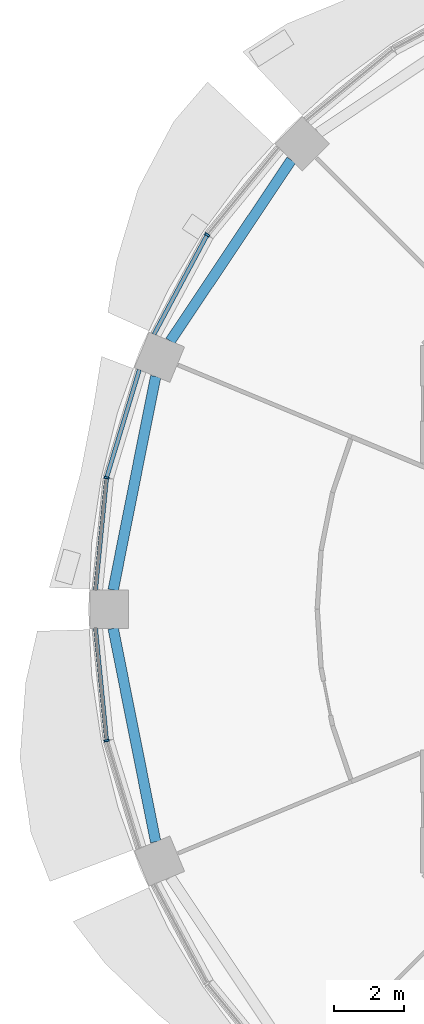
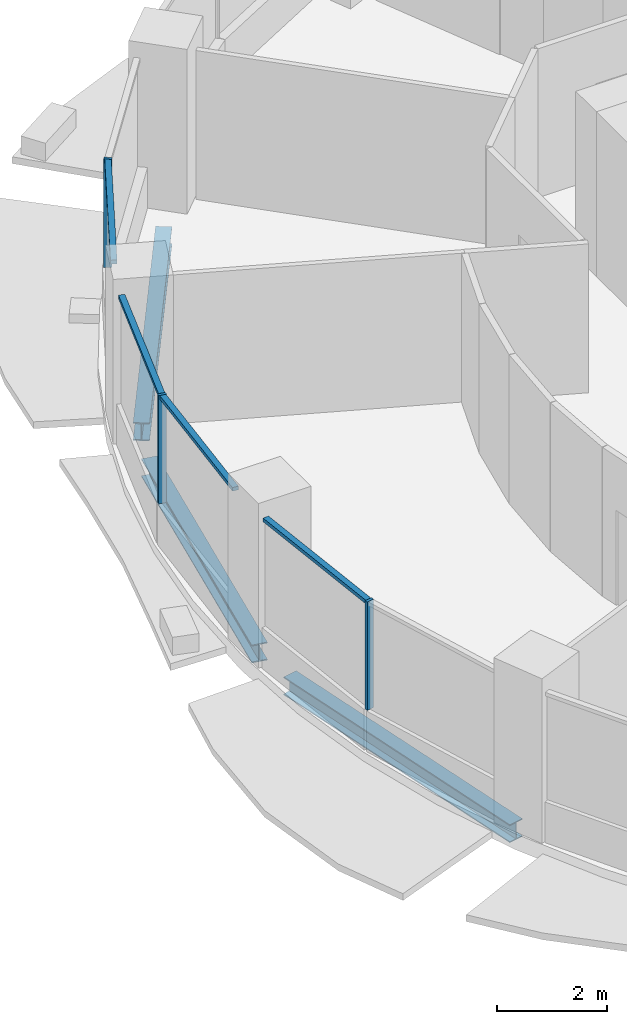
# One storey, part 4 of 15: 7 members, 3 beams, 3 elements without a shape of their own.
"""IFC4 building model written with IfcOpenShell, lengths in metres."""

from ifc_helpers import new_model, si_unit, direction, frame, origin, origin_2d, place, context, subcontext, project, spatial, rectangle, i_section, extrude, material, material_profile, profile_set, type_object, element, aggregate, save


model = new_model("IFC4")

# Units and contexts
model_context = context("Model", 3, precision=1e-05, world=origin(), true_north=direction((0.0, 1.0)))
body_context = subcontext(model_context, "Body", "Model", "MODEL_VIEW")
ifc_project = project(units=[si_unit("LENGTHUNIT", "METRE"), si_unit("AREAUNIT", "SQUARE_METRE"), si_unit("VOLUMEUNIT", "CUBIC_METRE"), si_unit("PLANEANGLEUNIT", "RADIAN"), si_unit("MASSUNIT", "GRAM", prefix="KILO")], contexts=[model_context])

# Site, building, storey
site_placement = place(None, origin())
site = spatial("IfcSite", under=ifc_project, at=site_placement, CompositionType="ELEMENT")
building_placement = place(site_placement, origin())
building = spatial("IfcBuilding", under=site, at=building_placement, Name="Polderwave Tower", CompositionType="ELEMENT")
storey_placement = place(building_placement, frame((0.0, 0.0, 80.050048828125)))
storey = spatial("IfcBuildingStorey", under=building, at=storey_placement, Name="L20", CompositionType="ELEMENT", Elevation=80.050048828125)

# Curtain wall, member
ifc_material_1 = material(Name="Aluminium 6063-T6 and glass", Category="aluminium")
curtain_wall_type = type_object("IfcCurtainWallType", Name="Growing floor ribbon glazing wall", PredefinedType="NOTDEFINED", material=ifc_material_1)
curtain_wall_1_placement = place(storey_placement, origin())
curtain_wall_1 = element("IfcCurtainWall", 1, at=curtain_wall_1_placement, inside=storey, type_object=curtain_wall_type, Name="CW2 L20 06", PredefinedType="NOTDEFINED")
ifc_material_2 = material(Name="Aluminium 6063-T6", Category="aluminium")
ifc_material_profile_1 = material_profile(ifc_material_2, rectangle(XDim=0.14990234375, YDim=0.06005859375, at=origin_2d()), Name="AL 60x150")
ifc_profile_set_1 = profile_set([ifc_material_profile_1], Name="Aluminium 6063-T6")
member_type_1 = type_object("IfcMemberType", Name="Growing floor ribbon glazing mullion 60x150", PredefinedType="MULLION", material=ifc_profile_set_1)
member_1_placement = place(storey_placement, frame((-16.0390625, 10.717041015625, 0.89990234375), z_axis=(0.0, 0.0, 1.0), x_axis=(0.831519061311, -0.555496220219, 0.0)))
member_1 = element("IfcMember", 2, at=member_1_placement, type_object=member_type_1, Name="CW2 mullion 1", PredefinedType="MULLION", context=body_context, shape_type="SweptSolid", body=[
    extrude(rectangle(XDim=0.14990234375, YDim=0.06005859375, at=origin_2d()), origin(), (0.0, 0.0, 1.0), 2.400146484375),
])

curtain_wall_2_placement = place(storey_placement, origin())
curtain_wall_2 = element("IfcCurtainWall", 3, at=curtain_wall_2_placement, inside=storey, type_object=curtain_wall_type, Name="CW2 L20 07", PredefinedType="NOTDEFINED")
member_2_placement = place(storey_placement, frame((-18.9189453125, 3.762939453125, 0.89990234375), z_axis=(0.0, 0.0, 1.0), x_axis=(0.980778810424, -0.19512284598, 0.0)))
member_2 = element("IfcMember", 4, at=member_2_placement, type_object=member_type_1, Name="CW2 mullion 1", PredefinedType="MULLION", context=body_context, shape_type="SweptSolid", body=[
    extrude(rectangle(XDim=0.14990234375, YDim=0.06005859375, at=origin_2d()), origin(), (0.0, 0.0, 1.0), 2.400146484375),
])

curtain_wall_3_placement = place(storey_placement, origin())
curtain_wall_3 = element("IfcCurtainWall", 5, at=curtain_wall_3_placement, inside=storey, type_object=curtain_wall_type, Name="CW2 L20 08", PredefinedType="NOTDEFINED")
member_3_placement = place(storey_placement, frame((-18.9189453125, -3.762939453125, 0.89990234375), z_axis=(0.0, 0.0, 1.0), x_axis=(0.980778810424, 0.19512284598, 0.0)))
member_3 = element("IfcMember", 6, at=member_3_placement, type_object=member_type_1, Name="CW2 mullion 1", PredefinedType="MULLION", context=body_context, shape_type="SweptSolid", body=[
    extrude(rectangle(XDim=0.14990234375, YDim=0.06005859375, at=origin_2d()), origin(), (0.0, 0.0, 1.0), 2.400146484375),
])

# Member
ifc_material_profile_2 = material_profile(ifc_material_2, rectangle(XDim=0.1201171875, YDim=0.080078125, at=origin_2d()), Name="AL 80x120")
ifc_profile_set_2 = profile_set([ifc_material_profile_2], Name="Aluminium 6063-T6")
member_type_2 = type_object("IfcMemberType", Name="Growing floor ribbon glazing transom 80x120", PredefinedType="USERDEFINED", material=ifc_profile_set_2)
member_4_placement = place(storey_placement, frame((-16.052978515625, 10.6904296875, 3.260009765625), z_axis=(-0.471376247819, -0.881932215645, 0.0), x_axis=(0.881932215645, -0.471376247819, 0.0)))
member_4 = element("IfcMember", 7, at=member_4_placement, type_object=member_type_2, Name="CW2 transom 2", ObjectType="TRANSOM", PredefinedType="USERDEFINED", context=body_context, shape_type="SweptSolid", body=[
    extrude(rectangle(XDim=0.1201171875, YDim=0.080078125, at=origin_2d()), origin(), (0.0, 0.0, 1.0), 3.19921875),
])

aggregate(curtain_wall_1, [member_1, member_4])

member_5_placement = place(storey_placement, frame((-17.98193359375, 6.85302734375, 3.260009765625), z_axis=(-0.290238267171, -0.956954412848, 0.0), x_axis=(0.956954412848, -0.290238267171, 0.0)))
member_5 = element("IfcMember", 8, at=member_5_placement, type_object=member_type_2, Name="CW2 transom 1", ObjectType="TRANSOM", PredefinedType="USERDEFINED", context=body_context, shape_type="SweptSolid", body=[
    extrude(rectangle(XDim=0.1201171875, YDim=0.080078125, at=origin_2d()), origin(), (0.0, 0.0, 1.0), 3.198974609375),
])

member_6_placement = place(storey_placement, frame((-18.921875, 3.733154296875, 3.260009765625), z_axis=(-0.098234025198, -0.995163341514, 0.0), x_axis=(0.995163341514, -0.098234025198, 0.0)))
member_6 = element("IfcMember", 9, at=member_6_placement, type_object=member_type_2, Name="CW2 transom 2", ObjectType="TRANSOM", PredefinedType="USERDEFINED", context=body_context, shape_type="SweptSolid", body=[
    extrude(rectangle(XDim=0.1201171875, YDim=0.080078125, at=origin_2d()), origin(), (0.0, 0.0, 1.0), 3.198486328125),
])

aggregate(curtain_wall_2, [member_2, member_5, member_6])

member_7_placement = place(storey_placement, frame((-19.236083984375, -0.550048828125, 3.260009765625), z_axis=(0.098234025198, -0.995163341514, 0.0), x_axis=(0.995163341514, 0.098234025198, 0.0)))
member_7 = element("IfcMember", 10, at=member_7_placement, type_object=member_type_2, Name="CW2 transom 1", ObjectType="TRANSOM", PredefinedType="USERDEFINED", context=body_context, shape_type="SweptSolid", body=[
    extrude(rectangle(XDim=0.1201171875, YDim=0.080078125, at=origin_2d()), origin(), (0.0, 0.0, 1.0), 3.198486328125),
])

aggregate(curtain_wall_3, [member_3, member_7])

# Beams
ifc_material_3 = material(Name="Steel S355", Category="steel")
ifc_material_profile_3 = material_profile(ifc_material_3, i_section(OverallWidth=0.300048828125, OverallDepth=0.39990234375, WebThickness=0.013427734375, FlangeThickness=0.02392578125, at=origin_2d()), Name="HE 400 B")
ifc_profile_set_3 = profile_set([ifc_material_profile_3], Name="Steel S355")
beam_type = type_object("IfcBeamType", Name="RING BEAM HE 400 B", PredefinedType="BEAM", material=ifc_profile_set_3)
beam_placement = place(storey_placement, frame((-13.633544921875, 12.855712890625, -0.550048828125), z_axis=(-0.555541024975, -0.831489127752, 0.0), x_axis=(0.831489127752, -0.555541024975, 0.0)))
element("IfcBeam", 11, at=beam_placement, inside=storey, type_object=beam_type, Name="ST-RB-L20-06", PredefinedType="BEAM", context=body_context, shape_type="SweptSolid", body=[
    extrude(i_section(OverallWidth=0.300048828125, OverallDepth=0.39990234375, WebThickness=0.013427734375, FlangeThickness=0.02392578125, at=origin_2d()), origin(), (0.0, 0.0, 1.0), 6.2294921875),
])
for number, where, z_axis, x_axis, name in (
    (12, (-17.515380859375, 6.65966796875, -0.550048828125), (-0.195098540955, -0.980783645519, 0.0), (0.980783645519, -0.195098540955, 0.0), "ST-RB-L20-07"),
    (13, (-18.730712890625, -0.550048828125, -0.550048828125), (0.195098540955, -0.980783645519, 0.0), (0.980783645519, 0.195098540955, 0.0), "ST-RB-L20-08"),
):
    element("IfcBeam", number, at=place(storey_placement, frame(where, z_axis=z_axis, x_axis=x_axis)), inside=storey, type_object=beam_type, Name=name, PredefinedType="BEAM", context=body_context, shape_type="SweptSolid", body=[
        extrude(i_section(OverallWidth=0.300048828125, OverallDepth=0.39990234375, WebThickness=0.013427734375, FlangeThickness=0.02392578125, at=origin_2d()), origin(), (0.0, 0.0, 1.0), 6.229248046875),
    ])

save(model, "model.ifc")
